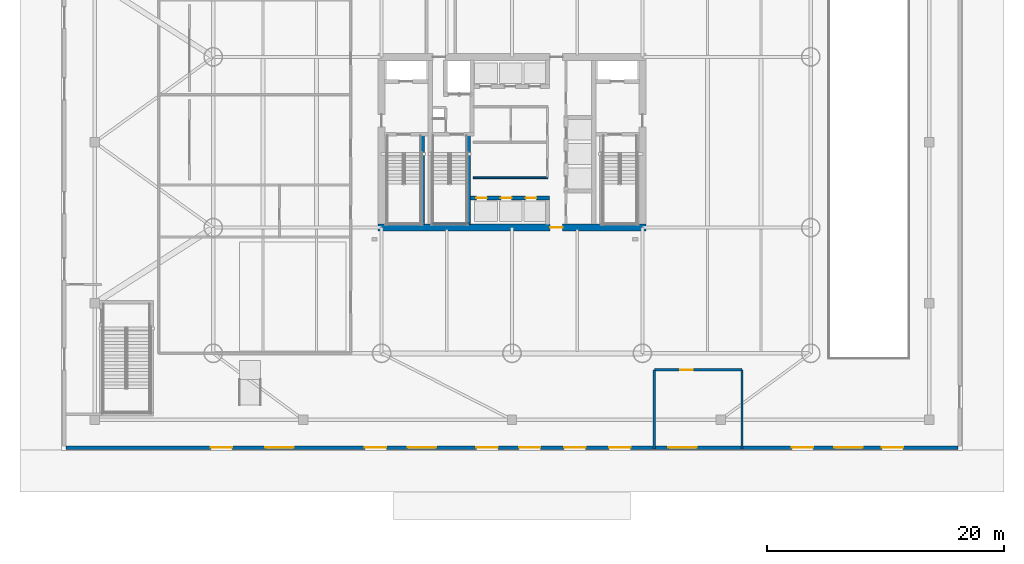
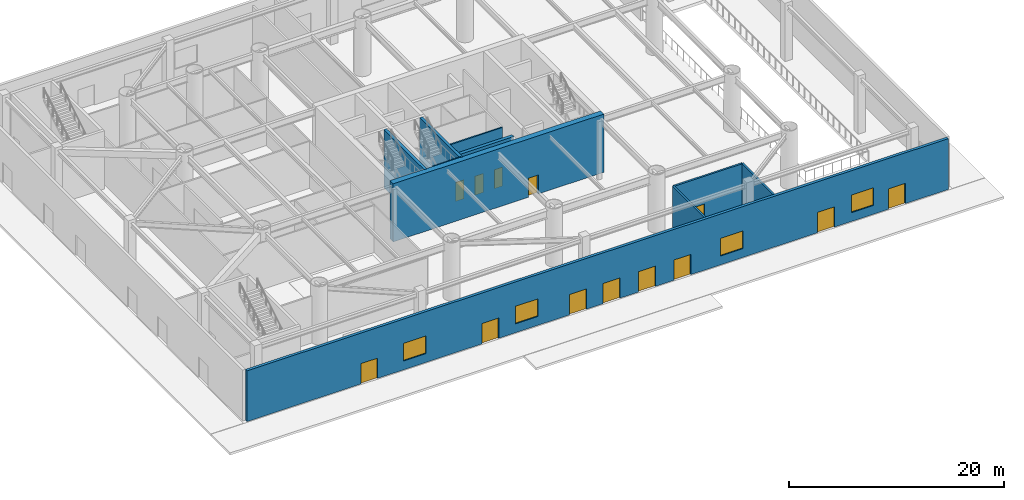
# One storey, part 4 of 15: 13 doors, 10 walls, 4 windows, 17 openings.
"""IFC4 building model written with IfcOpenShell, lengths in metres."""

import ifcopenshell
import ifcopenshell.guid

model = None  # the IFC model being written
_history = None  # IfcOwnerHistory: only IFC2X3 demands one
_inside = {}  # id of a spatial element -> (the spatial element, [elements in it])
_under = {}  # id of a project, library or spatial element -> (it, [spatial elements below it])
_declared = {}  # id of a project -> (the project, [libraries it declares])
_typed = {}  # id of a type object -> (the type object, [elements of that type])
_made_of = {}  # id of a material, layer set ... -> (it, [elements and type objects made of it])


def new_model(schema):
    """Start an empty IFC model of exactly this schema.

    Asked for "IFC4X3", IfcOpenShell would pick the latest addendum, in which some entities
    have other attributes; the version numbers below select the first issue.
    IFC2X3 requires an IfcOwnerHistory on every rooted entity: one is made here for all.
    """
    global model, _history
    if schema == "IFC4X3":
        model = ifcopenshell.file(schema_version=(4, 3, 0, 0))
    else:
        model = ifcopenshell.file(schema=schema)
    _inside.clear()
    _under.clear()
    _declared.clear()
    _typed.clear()
    _made_of.clear()
    _history = None
    if model.schema == "IFC2X3":
        org = make("IfcOrganization", Name="unknown")
        user = make(
            "IfcPersonAndOrganization",
            ThePerson=make("IfcPerson", FamilyName="unknown"),
            TheOrganization=org,
        )
        app = make(
            "IfcApplication",
            ApplicationDeveloper=org,
            Version="unknown",
            ApplicationFullName="unknown",
            ApplicationIdentifier="unknown",
        )
        _history = make(
            "IfcOwnerHistory",
            OwningUser=user,
            OwningApplication=app,
            ChangeAction="ADDED",
            CreationDate=0,
        )
    return model


def make(cls, **values):
    """One entity of the class cls with the attributes given. An attribute that is None is left unset."""
    return model.create_entity(
        cls, **{name: value for name, value in values.items() if value is not None}
    )


def rooted(cls, **values):
    """An entity with a GlobalId (a new one), such as an element, a storey or a relation."""
    return make(cls, GlobalId=ifcopenshell.guid.new(), OwnerHistory=_history, **values)


def si_unit(unit_type, name, prefix=None):
    """IfcSIUnit, for example si_unit("LENGTHUNIT", "METRE", prefix="MILLI")."""
    return make("IfcSIUnit", UnitType=unit_type, Prefix=prefix, Name=name)


def assignment(units):
    """IfcUnitAssignment: the units of a project."""
    return None if units is None else make("IfcUnitAssignment", Units=units)


def point(xyz):
    """IfcCartesianPoint."""
    return None if xyz is None else make("IfcCartesianPoint", Coordinates=xyz)


def direction(xyz):
    """IfcDirection."""
    return None if xyz is None else make("IfcDirection", DirectionRatios=xyz)


def frame(location, z_axis=None, x_axis=None):
    """IfcAxis2Placement3D, a coordinate frame: its origin and axes. An axis left out is left unset."""
    return make(
        "IfcAxis2Placement3D",
        Location=point(location),
        Axis=direction(z_axis),
        RefDirection=direction(x_axis),
    )


def frame_2d(location, x_axis=None):
    """IfcAxis2Placement2D, a coordinate frame in the plane: its origin and x axis."""
    return make(
        "IfcAxis2Placement2D", Location=point(location), RefDirection=direction(x_axis)
    )


def origin():
    """The frame at (0, 0, 0) with its axes left unset."""
    return frame((0.0, 0.0, 0.0))


def place(relative_to, where):
    """IfcLocalPlacement: puts the frame where relative to a parent placement (None: the world)."""
    return make(
        "IfcLocalPlacement", PlacementRelTo=relative_to, RelativePlacement=where
    )


def context(
    kind, dimensions, precision=None, world=None, true_north=None, identifier=None
):
    """IfcGeometricRepresentationContext, for example the 3D "Model" context."""
    return make(
        "IfcGeometricRepresentationContext",
        ContextIdentifier=identifier,
        ContextType=kind,
        CoordinateSpaceDimension=dimensions,
        Precision=precision,
        WorldCoordinateSystem=world,
        TrueNorth=true_north,
    )


def subcontext(parent, identifier, kind, view, scale=None):
    """IfcGeometricRepresentationSubContext, for example "Body" below "Model"."""
    return make(
        "IfcGeometricRepresentationSubContext",
        ContextIdentifier=identifier,
        ContextType=kind,
        ParentContext=parent,
        TargetScale=scale,
        TargetView=view,
    )


def project(units=None, contexts=None):
    """IfcProject with its units and contexts."""
    return rooted(
        "IfcProject",
        Name="project",
        RepresentationContexts=contexts,
        UnitsInContext=assignment(units),
    )


def spatial(cls, under=None, at=None, **own):
    """A site, building, storey or space (cls), placed at a placement, below another one or the project."""
    s = rooted(cls, ObjectPlacement=at, **own)
    if under is not None:
        _under.setdefault(under.id(), (under, []))[1].append(s)
    return s


def profile(cls, at=None, kind="AREA", **sizes):
    """A parametric profile (cls). Its sizes go by their IFC names, for example OverallWidth=200.0."""
    return make(cls, ProfileType=kind, Position=at, **sizes)


def rectangle(**sizes):
    """IfcRectangleProfileDef."""
    return profile("IfcRectangleProfileDef", **sizes)


def extrude(swept, where, along, depth):
    """IfcExtrudedAreaSolid: the profile swept, set in the frame where, extruded along a direction by depth."""
    return make(
        "IfcExtrudedAreaSolid",
        SweptArea=swept,
        Position=where,
        ExtrudedDirection=direction(along),
        Depth=depth,
    )


def shape(context_of_items, identifier, shape_type, items):
    """IfcShapeRepresentation: the items that make up one representation, for example the "Body"."""
    return make(
        "IfcShapeRepresentation",
        ContextOfItems=context_of_items,
        RepresentationIdentifier=identifier,
        RepresentationType=shape_type,
        Items=items,
    )


def material(Name=None, Category=None):
    """IfcMaterial."""
    return make("IfcMaterial", Name=Name, Category=Category)


def layer(
    of_material, thickness, ventilated=None, Name=None, Category=None, Priority=None
):
    """IfcMaterialLayer: one layer of a wall or slab, of a material (None: an air gap)."""
    return make(
        "IfcMaterialLayer",
        Material=of_material,
        LayerThickness=thickness,
        IsVentilated=ventilated,
        Name=Name,
        Category=Category,
        Priority=Priority,
    )


def layer_set(layers, Name=None):
    """IfcMaterialLayerSet."""
    return make("IfcMaterialLayerSet", MaterialLayers=layers, LayerSetName=Name)


def made_of(thing, what):
    """Note that an element or type object is made of a material, layer set ...; save() writes the relation."""
    if what is not None:
        _made_of.setdefault(what.id(), (what, []))[1].append(thing)
    return thing


def type_object(cls, material=None, **own):
    """A type object (cls), such as IfcWallType, which elements share."""
    return made_of(rooted(cls, **own), material)


def element(
    cls,
    number,
    at=None,
    inside=None,
    cuts=None,
    type_object=None,
    material=None,
    context=None,
    identifier="Body",
    shape_type=None,
    held_by="IfcProductDefinitionShape",
    body=None,
    shapes=None,
    **own,
):
    """One element of the class cls, such as IfcWall. Its Tag is "e" and its number.

    at: its placement. inside: the storey or other place that contains it. cuts: it is an
    opening in that element (IfcRelVoidsElement). A single representation is given by context,
    identifier, shape_type and body (its items); several are given by shapes. held_by: the class
    of the entity that holds the representations. save() writes the other relations.
    """
    e = rooted(cls, Tag="e%d" % number, ObjectPlacement=at, **own)
    if body is not None:
        shapes = [shape(context, identifier, shape_type, body)]
    if shapes is not None:
        e.Representation = make(held_by, Representations=shapes)
    if inside is not None:
        _inside.setdefault(inside.id(), (inside, []))[1].append(e)
    if cuts is not None:
        rooted(
            "IfcRelVoidsElement", RelatingBuildingElement=cuts, RelatedOpeningElement=e
        )
    if type_object is not None:
        _typed.setdefault(type_object.id(), (type_object, []))[1].append(e)
    return made_of(e, material)


def fill(opening, filler):
    """IfcRelFillsElement: the door or window that sits in an opening."""
    return rooted(
        "IfcRelFillsElement",
        RelatingOpeningElement=opening,
        RelatedBuildingElement=filler,
    )


def aggregate(whole, parts):
    """IfcRelAggregates: a whole, such as a stair, and the parts it consists of."""
    return rooted("IfcRelAggregates", RelatingObject=whole, RelatedObjects=parts)


def save(model, path):
    """Write the relations noted so far, then the file.

    IfcRelAggregates (storeys below a building ...), IfcRelContainedInSpatialStructure (elements
    in a storey), IfcRelDefinesByType, IfcRelAssociatesMaterial and IfcRelDeclares: one each for
    every whole, place, type object, material and project.
    """
    for whole, parts in _under.values():
        aggregate(whole, parts)
    for where, things in _inside.values():
        rooted(
            "IfcRelContainedInSpatialStructure",
            RelatedElements=things,
            RelatingStructure=where,
        )
    for kind, things in _typed.values():
        rooted("IfcRelDefinesByType", RelatedObjects=things, RelatingType=kind)
    for what, things in _made_of.values():
        rooted("IfcRelAssociatesMaterial", RelatedObjects=things, RelatingMaterial=what)
    for by, libraries in _declared.values():
        rooted("IfcRelDeclares", RelatingContext=by, RelatedDefinitions=libraries)
    model.write(path)


model = new_model("IFC4")

# Units and contexts
model_context = context("Model", 3, precision=1e-05, world=origin(), true_north=direction((0.0, 1.0)))
body_context = subcontext(model_context, "Body", "Model", "MODEL_VIEW")
ifc_project = project(units=[si_unit("LENGTHUNIT", "METRE"), si_unit("AREAUNIT", "SQUARE_METRE"), si_unit("VOLUMEUNIT", "CUBIC_METRE"), si_unit("PLANEANGLEUNIT", "RADIAN"), si_unit("MASSUNIT", "GRAM", prefix="KILO")], contexts=[model_context])

# Site, building, storey
site_placement = place(None, origin())
site = spatial("IfcSite", under=ifc_project, at=site_placement, CompositionType="ELEMENT")
building_placement = place(site_placement, origin())
building = spatial("IfcBuilding", under=site, at=building_placement, Name="Bramvorn Convention Spire", CompositionType="ELEMENT")
storey_placement = place(building_placement, origin())
storey = spatial("IfcBuildingStorey", under=building, at=storey_placement, Name="L00", CompositionType="ELEMENT", Elevation=0.0)

# Wall, opening, door
ifc_material_1 = material(Name="Concrete C60/70", Category="concrete")
ifc_layer_1 = layer(ifc_material_1, 0.60009765625)
ifc_layer_set_1 = layer_set([ifc_layer_1], Name="Concrete C60/70 - WL-CORE-600")
wall_type_1 = type_object("IfcWallType", Name="WL-CORE-600", PredefinedType="SHEAR", material=ifc_layer_set_1)
wall_1_placement = place(storey_placement, frame((26.699951171875, 18.800048828125, 0.0), z_axis=(0.0, 0.0, 1.0), x_axis=(1.0, 0.0, 0.0)))
wall_1 = element("IfcWall", 1, at=wall_1_placement, inside=storey, type_object=wall_type_1, Name="L00 South RC core shear wall", PredefinedType="SHEAR", context=body_context, shape_type="SweptSolid", body=[
    extrude(rectangle(XDim=22.60009765625, YDim=0.60009765625, at=frame_2d((11.300048828125, 0.0))), origin(), (0.0, 0.0, 1.0), 6.60009765625),
])
opening_1_placement = place(wall_1_placement, frame((14.52001953125, 0.0, 0.0)))
opening_1 = element("IfcOpeningElement", 2, at=opening_1_placement, cuts=wall_1, Name="Opening DL-105", PredefinedType="OPENING", context=body_context, shape_type="SweptSolid", body=[
    extrude(rectangle(XDim=1.050048828125, YDim=2.14990234375, at=frame_2d((0.52490234375, 1.074951171875))), frame((0.0, 0.31005859375, 0.0), z_axis=(0.0, -1.0, 0.0), x_axis=(1.0, 0.0, 0.0)), (0.0, 0.0, 1.0), 0.6201171875),
])
ifc_material_2 = material(Name="Smoke-Sealed Fire Lobby Timber-Core Door", Category="wood")
door_type_1 = type_object("IfcDoorType", Name="DR-LOBBY-1050", OperationType="NOTDEFINED", PredefinedType="DOOR", material=ifc_material_2)
door_1_placement = place(opening_1_placement, origin())
door_1 = element("IfcDoor", 3, at=door_1_placement, inside=storey, type_object=door_type_1, Name="L00 South Lift Lobby fire door", OperationType="SINGLE_SWING_RIGHT", OverallHeight=2.14990234375, OverallWidth=1.050048828125, PredefinedType="DOOR", context=body_context, shape_type="SweptSolid", body=[
    extrude(rectangle(XDim=1.050048828125, YDim=2.14990234375, at=frame_2d((0.52490234375, 1.074951171875))), frame((0.0, 0.02490234375, 0.0), z_axis=(0.0, -1.0, 0.0), x_axis=(1.0, 0.0, 0.0)), (0.0, 0.0, 1.0), 0.050048828125),
])
fill(opening_1, door_1)

# Wall, openings, doors
ifc_material_3 = material(Name="Concrete C50/60", Category="concrete")
ifc_layer_2 = layer(ifc_material_3, 0.35009765625)
ifc_layer_set_2 = layer_set([ifc_layer_2], Name="Concrete C50/60 - WL-CORE-INT-350")
wall_type_2 = type_object("IfcWallType", Name="WL-CORE-INT-350", PredefinedType="SHEAR", material=ifc_layer_set_2)
wall_2_placement = place(storey_placement, frame((34.489990234375, 21.300048828125, 0.0), z_axis=(0.0, 0.0, 1.0), x_axis=(1.0, 0.0, 0.0)))
wall_2 = element("IfcWall", 4, at=wall_2_placement, inside=storey, type_object=wall_type_2, Name="L00 Mid-rise bank north landing wall", PredefinedType="SHEAR", context=body_context, shape_type="SweptSolid", body=[
    extrude(rectangle(XDim=6.679931640625, YDim=0.35009765625, at=frame_2d((3.33984375, 0.0))), origin(), (0.0, 0.0, 1.0), 5.31005859375),
])
opening_2_placement = place(wall_2_placement, frame((0.5, 0.0, 0.0)))
opening_2 = element("IfcOpeningElement", 5, at=opening_2_placement, cuts=wall_2, Name="Opening LD-090", PredefinedType="OPENING", context=body_context, shape_type="SweptSolid", body=[
    extrude(rectangle(XDim=0.89990234375, YDim=2.14990234375, at=frame_2d((0.449951171875, 1.074951171875))), frame((0.0, 0.18505859375, 0.0), z_axis=(0.0, -1.0, 0.0), x_axis=(1.0, 0.0, 0.0)), (0.0, 0.0, 1.0), 0.3701171875),
])
opening_3_placement = place(wall_2_placement, frame((2.580078125, 0.0, 0.0)))
opening_3 = element("IfcOpeningElement", 6, at=opening_3_placement, cuts=wall_2, Name="Opening LD-090", PredefinedType="OPENING", context=body_context, shape_type="SweptSolid", body=[
    extrude(rectangle(XDim=0.89990234375, YDim=2.14990234375, at=frame_2d((0.449951171875, 1.074951171875))), frame((0.0, 0.18505859375, 0.0), z_axis=(0.0, -1.0, 0.0), x_axis=(1.0, 0.0, 0.0)), (0.0, 0.0, 1.0), 0.3701171875),
])
opening_4_placement = place(wall_2_placement, frame((4.659912109375, 0.0, 0.0)))
opening_4 = element("IfcOpeningElement", 7, at=opening_4_placement, cuts=wall_2, Name="Opening LD-090", PredefinedType="OPENING", context=body_context, shape_type="SweptSolid", body=[
    extrude(rectangle(XDim=0.89990234375, YDim=2.14990234375, at=frame_2d((0.449951171875, 1.074951171875))), frame((0.0, 0.18505859375, 0.0), z_axis=(0.0, -1.0, 0.0), x_axis=(1.0, 0.0, 0.0)), (0.0, 0.0, 1.0), 0.3701171875),
])
ifc_material_4 = material(Name="Bi-Parting Fire-Rated Lift Landing Door", Category="steel")
door_type_2 = type_object("IfcDoorType", Name="DR-LIFT-LD-900", OperationType="NOTDEFINED", PredefinedType="DOOR", material=ifc_material_4)
door_2_placement = place(opening_2_placement, origin())
door_2 = element("IfcDoor", 8, at=door_2_placement, inside=storey, type_object=door_type_2, Name="L00 Lift PM1 Sliding Landing Door", OperationType="SLIDING_TO_LEFT", OverallHeight=2.14990234375, OverallWidth=0.89990234375, PredefinedType="DOOR", context=body_context, shape_type="SweptSolid", body=[
    extrude(rectangle(XDim=0.89990234375, YDim=2.14990234375, at=frame_2d((0.449951171875, 1.074951171875))), frame((0.0, 0.02490234375, 0.0), z_axis=(0.0, -1.0, 0.0), x_axis=(1.0, 0.0, 0.0)), (0.0, 0.0, 1.0), 0.050048828125),
])
fill(opening_2, door_2)
door_3_placement = place(opening_3_placement, origin())
door_3 = element("IfcDoor", 9, at=door_3_placement, inside=storey, type_object=door_type_2, Name="L00 Lift PM2 Sliding Landing Door", OperationType="SLIDING_TO_LEFT", OverallHeight=2.14990234375, OverallWidth=0.89990234375, PredefinedType="DOOR", context=body_context, shape_type="SweptSolid", body=[
    extrude(rectangle(XDim=0.89990234375, YDim=2.14990234375, at=frame_2d((0.449951171875, 1.074951171875))), frame((0.0, 0.02490234375, 0.0), z_axis=(0.0, -1.0, 0.0), x_axis=(1.0, 0.0, 0.0)), (0.0, 0.0, 1.0), 0.050048828125),
])
fill(opening_3, door_3)
door_4_placement = place(opening_4_placement, origin())
door_4 = element("IfcDoor", 10, at=door_4_placement, inside=storey, type_object=door_type_2, Name="L00 Lift PM3 Sliding Landing Door", OperationType="SLIDING_TO_LEFT", OverallHeight=2.14990234375, OverallWidth=0.89990234375, PredefinedType="DOOR", context=body_context, shape_type="SweptSolid", body=[
    extrude(rectangle(XDim=0.89990234375, YDim=2.14990234375, at=frame_2d((0.449951171875, 1.074951171875))), frame((0.0, 0.02490234375, 0.0), z_axis=(0.0, -1.0, 0.0), x_axis=(1.0, 0.0, 0.0)), (0.0, 0.0, 1.0), 0.050048828125),
])
fill(opening_4, door_4)

# Wall, openings, doors, windows
ifc_material_5 = material(Name="Precast Concrete C40/50 with Bronze Terracotta Rainscreen", Category="masonry")
ifc_layer_3 = layer(ifc_material_5, 0.300048828125)
ifc_layer_set_3 = layer_set([ifc_layer_3], Name="Precast Concrete C40/50 with Bronze Terracotta Rainscreen - WL-EXT-BRONZE-300")
wall_type_3 = type_object("IfcWallType", Name="WL-EXT-BRONZE-300", PredefinedType="SOLIDWALL", material=ifc_layer_set_3)
wall_3_placement = place(storey_placement, frame((75.60009765625, 0.25, 0.0), z_axis=(0.0, 0.0, 1.0), x_axis=(-1.0, 0.0, 0.0)))
wall_3 = element("IfcWall", 11, at=wall_3_placement, inside=storey, type_object=wall_type_3, Name="L00 South podium bronze facade wall", PredefinedType="SOLIDWALL", context=body_context, shape_type="SweptSolid", body=[
    extrude(rectangle(XDim=75.2001953125, YDim=0.300048828125, at=frame_2d((37.60009765625, 0.0))), origin(), (0.0, 0.0, 1.0), 5.760009765625),
])
opening_5_placement = place(wall_3_placement, frame((8.0, 0.0, 1.0)))
opening_5 = element("IfcOpeningElement", 12, at=opening_5_placement, cuts=wall_3, Name="Opening WN05", PredefinedType="OPENING", context=body_context, shape_type="SweptSolid", body=[
    extrude(rectangle(XDim=2.39990234375, YDim=2.0, at=frame_2d((1.199951171875, 1.0))), frame((0.0, 0.159912109375, 0.0), z_axis=(0.0, -1.0, 0.0), x_axis=(1.0, 0.0, 0.0)), (0.0, 0.0, 1.0), 0.320068359375),
])
opening_6_placement = place(wall_3_placement, frame((22.0, 0.0, 1.0)))
opening_6 = element("IfcOpeningElement", 13, at=opening_6_placement, cuts=wall_3, Name="Opening WN05", PredefinedType="OPENING", context=body_context, shape_type="SweptSolid", body=[
    extrude(rectangle(XDim=2.39990234375, YDim=2.0, at=frame_2d((1.199951171875, 1.0))), frame((0.0, 0.159912109375, 0.0), z_axis=(0.0, -1.0, 0.0), x_axis=(1.0, 0.0, 0.0)), (0.0, 0.0, 1.0), 0.320068359375),
])
opening_7_placement = place(wall_3_placement, frame((44.0, 0.0, 1.0)))
opening_7 = element("IfcOpeningElement", 14, at=opening_7_placement, cuts=wall_3, Name="Opening WN05", PredefinedType="OPENING", context=body_context, shape_type="SweptSolid", body=[
    extrude(rectangle(XDim=2.39990234375, YDim=2.0, at=frame_2d((1.199951171875, 1.0))), frame((0.0, 0.159912109375, 0.0), z_axis=(0.0, -1.0, 0.0), x_axis=(1.0, 0.0, 0.0)), (0.0, 0.0, 1.0), 0.320068359375),
])
opening_8_placement = place(wall_3_placement, frame((56.0, 0.0, 1.0)))
opening_8 = element("IfcOpeningElement", 15, at=opening_8_placement, cuts=wall_3, Name="Opening WN05", PredefinedType="OPENING", context=body_context, shape_type="SweptSolid", body=[
    extrude(rectangle(XDim=2.39990234375, YDim=2.0, at=frame_2d((1.199951171875, 1.0))), frame((0.0, 0.159912109375, 0.0), z_axis=(0.0, -1.0, 0.0), x_axis=(1.0, 0.0, 0.0)), (0.0, 0.0, 1.0), 0.320068359375),
])
opening_9_placement = place(wall_3_placement, frame((4.60009765625, 0.0, 0.0)))
opening_9 = element("IfcOpeningElement", 16, at=opening_9_placement, cuts=wall_3, Name="Opening DE03", PredefinedType="OPENING", context=body_context, shape_type="SweptSolid", body=[
    extrude(rectangle(XDim=1.800048828125, YDim=2.300048828125, at=frame_2d((0.89990234375, 1.14990234375))), frame((0.0, 0.159912109375, 0.0), z_axis=(0.0, -1.0, 0.0), x_axis=(1.0, 0.0, 0.0)), (0.0, 0.0, 1.0), 0.320068359375),
])
opening_10_placement = place(wall_3_placement, frame((12.199951171875, 0.0, 0.0)))
opening_10 = element("IfcOpeningElement", 17, at=opening_10_placement, cuts=wall_3, Name="Opening DE03", PredefinedType="OPENING", context=body_context, shape_type="SweptSolid", body=[
    extrude(rectangle(XDim=1.800048828125, YDim=2.300048828125, at=frame_2d((0.89990234375, 1.14990234375))), frame((0.0, 0.159912109375, 0.0), z_axis=(0.0, -1.0, 0.0), x_axis=(1.0, 0.0, 0.0)), (0.0, 0.0, 1.0), 0.320068359375),
])
opening_11_placement = place(wall_3_placement, frame((27.60009765625, 0.0, 0.0)))
opening_11 = element("IfcOpeningElement", 18, at=opening_11_placement, cuts=wall_3, Name="Opening DE03", PredefinedType="OPENING", context=body_context, shape_type="SweptSolid", body=[
    extrude(rectangle(XDim=1.800048828125, YDim=2.300048828125, at=frame_2d((0.89990234375, 1.14990234375))), frame((0.0, 0.159912109375, 0.0), z_axis=(0.0, -1.0, 0.0), x_axis=(1.0, 0.0, 0.0)), (0.0, 0.0, 1.0), 0.320068359375),
])
opening_12_placement = place(wall_3_placement, frame((31.39990234375, 0.0, 0.0)))
opening_12 = element("IfcOpeningElement", 19, at=opening_12_placement, cuts=wall_3, Name="Opening DE03", PredefinedType="OPENING", context=body_context, shape_type="SweptSolid", body=[
    extrude(rectangle(XDim=1.800048828125, YDim=2.300048828125, at=frame_2d((0.89990234375, 1.14990234375))), frame((0.0, 0.159912109375, 0.0), z_axis=(0.0, -1.0, 0.0), x_axis=(1.0, 0.0, 0.0)), (0.0, 0.0, 1.0), 0.320068359375),
])
opening_13_placement = place(wall_3_placement, frame((35.199951171875, 0.0, 0.0)))
opening_13 = element("IfcOpeningElement", 20, at=opening_13_placement, cuts=wall_3, Name="Opening DE03", PredefinedType="OPENING", context=body_context, shape_type="SweptSolid", body=[
    extrude(rectangle(XDim=1.800048828125, YDim=2.300048828125, at=frame_2d((0.89990234375, 1.14990234375))), frame((0.0, 0.159912109375, 0.0), z_axis=(0.0, -1.0, 0.0), x_axis=(1.0, 0.0, 0.0)), (0.0, 0.0, 1.0), 0.320068359375),
])
opening_14_placement = place(wall_3_placement, frame((38.800048828125, 0.0, 0.0)))
opening_14 = element("IfcOpeningElement", 21, at=opening_14_placement, cuts=wall_3, Name="Opening DE03", PredefinedType="OPENING", context=body_context, shape_type="SweptSolid", body=[
    extrude(rectangle(XDim=1.800048828125, YDim=2.300048828125, at=frame_2d((0.89990234375, 1.14990234375))), frame((0.0, 0.159912109375, 0.0), z_axis=(0.0, -1.0, 0.0), x_axis=(1.0, 0.0, 0.0)), (0.0, 0.0, 1.0), 0.320068359375),
])
opening_15_placement = place(wall_3_placement, frame((48.199951171875, 0.0, 0.0)))
opening_15 = element("IfcOpeningElement", 22, at=opening_15_placement, cuts=wall_3, Name="Opening DE03", PredefinedType="OPENING", context=body_context, shape_type="SweptSolid", body=[
    extrude(rectangle(XDim=1.800048828125, YDim=2.300048828125, at=frame_2d((0.89990234375, 1.14990234375))), frame((0.0, 0.159912109375, 0.0), z_axis=(0.0, -1.0, 0.0), x_axis=(1.0, 0.0, 0.0)), (0.0, 0.0, 1.0), 0.320068359375),
])
opening_16_placement = place(wall_3_placement, frame((61.199951171875, 0.0, 0.0)))
opening_16 = element("IfcOpeningElement", 23, at=opening_16_placement, cuts=wall_3, Name="Opening DE03", PredefinedType="OPENING", context=body_context, shape_type="SweptSolid", body=[
    extrude(rectangle(XDim=1.800048828125, YDim=2.300048828125, at=frame_2d((0.89990234375, 1.14990234375))), frame((0.0, 0.159912109375, 0.0), z_axis=(0.0, -1.0, 0.0), x_axis=(1.0, 0.0, 0.0)), (0.0, 0.0, 1.0), 0.320068359375),
])
ifc_material_6 = material(Name="Anodised Bronze Aluminium & Laminated Safety Glass", Category="aluminium")
door_type_3 = type_object("IfcDoorType", Name="DR-EXT-1800X2300", OperationType="NOTDEFINED", PredefinedType="DOOR", material=ifc_material_6)
door_5_placement = place(opening_9_placement, origin())
door_5 = element("IfcDoor", 24, at=door_5_placement, inside=storey, type_object=door_type_3, Name="L00 SE Concourse Exit E01", OperationType="DOUBLE_DOOR_SINGLE_SWING", OverallHeight=2.300048828125, OverallWidth=1.800048828125, PredefinedType="DOOR", context=body_context, shape_type="SweptSolid", body=[
    extrude(rectangle(XDim=1.800048828125, YDim=2.300048828125, at=frame_2d((0.89990234375, 1.14990234375))), frame((0.0, 0.02490234375, 0.0), z_axis=(0.0, -1.0, 0.0), x_axis=(1.0, 0.0, 0.0)), (0.0, 0.0, 1.0), 0.050048828125),
])
fill(opening_9, door_5)
door_6_placement = place(opening_10_placement, origin())
door_6 = element("IfcDoor", 25, at=door_6_placement, inside=storey, type_object=door_type_3, Name="L00 SE Hall Exit E02", OperationType="DOUBLE_DOOR_SINGLE_SWING", OverallHeight=2.300048828125, OverallWidth=1.800048828125, PredefinedType="DOOR", context=body_context, shape_type="SweptSolid", body=[
    extrude(rectangle(XDim=1.800048828125, YDim=2.300048828125, at=frame_2d((0.89990234375, 1.14990234375))), frame((0.0, 0.02490234375, 0.0), z_axis=(0.0, -1.0, 0.0), x_axis=(1.0, 0.0, 0.0)), (0.0, 0.0, 1.0), 0.050048828125),
])
fill(opening_10, door_6)
door_7_placement = place(opening_11_placement, origin())
door_7 = element("IfcDoor", 26, at=door_7_placement, inside=storey, type_object=door_type_3, Name="L00 South Portal E03", OperationType="DOUBLE_DOOR_SINGLE_SWING", OverallHeight=2.300048828125, OverallWidth=1.800048828125, PredefinedType="DOOR", context=body_context, shape_type="SweptSolid", body=[
    extrude(rectangle(XDim=1.800048828125, YDim=2.300048828125, at=frame_2d((0.89990234375, 1.14990234375))), frame((0.0, 0.02490234375, 0.0), z_axis=(0.0, -1.0, 0.0), x_axis=(1.0, 0.0, 0.0)), (0.0, 0.0, 1.0), 0.050048828125),
])
fill(opening_11, door_7)
door_8_placement = place(opening_12_placement, origin())
door_8 = element("IfcDoor", 27, at=door_8_placement, inside=storey, type_object=door_type_3, Name="L00 South Portal E04", OperationType="DOUBLE_DOOR_SINGLE_SWING", OverallHeight=2.300048828125, OverallWidth=1.800048828125, PredefinedType="DOOR", context=body_context, shape_type="SweptSolid", body=[
    extrude(rectangle(XDim=1.800048828125, YDim=2.300048828125, at=frame_2d((0.89990234375, 1.14990234375))), frame((0.0, 0.02490234375, 0.0), z_axis=(0.0, -1.0, 0.0), x_axis=(1.0, 0.0, 0.0)), (0.0, 0.0, 1.0), 0.050048828125),
])
fill(opening_12, door_8)
door_9_placement = place(opening_13_placement, origin())
door_9 = element("IfcDoor", 28, at=door_9_placement, inside=storey, type_object=door_type_3, Name="L00 Grand Portal E05", OperationType="DOUBLE_DOOR_SINGLE_SWING", OverallHeight=2.300048828125, OverallWidth=1.800048828125, PredefinedType="DOOR", context=body_context, shape_type="SweptSolid", body=[
    extrude(rectangle(XDim=1.800048828125, YDim=2.300048828125, at=frame_2d((0.89990234375, 1.14990234375))), frame((0.0, 0.02490234375, 0.0), z_axis=(0.0, -1.0, 0.0), x_axis=(1.0, 0.0, 0.0)), (0.0, 0.0, 1.0), 0.050048828125),
])
fill(opening_13, door_9)
door_10_placement = place(opening_14_placement, origin())
door_10 = element("IfcDoor", 29, at=door_10_placement, inside=storey, type_object=door_type_3, Name="L00 Grand Portal E06", OperationType="DOUBLE_DOOR_SINGLE_SWING", OverallHeight=2.300048828125, OverallWidth=1.800048828125, PredefinedType="DOOR", context=body_context, shape_type="SweptSolid", body=[
    extrude(rectangle(XDim=1.800048828125, YDim=2.300048828125, at=frame_2d((0.89990234375, 1.14990234375))), frame((0.0, 0.02490234375, 0.0), z_axis=(0.0, -1.0, 0.0), x_axis=(1.0, 0.0, 0.0)), (0.0, 0.0, 1.0), 0.050048828125),
])
fill(opening_14, door_10)
door_11_placement = place(opening_15_placement, origin())
door_11 = element("IfcDoor", 30, at=door_11_placement, inside=storey, type_object=door_type_3, Name="L00 SW Concourse Exit E07", OperationType="DOUBLE_DOOR_SINGLE_SWING", OverallHeight=2.300048828125, OverallWidth=1.800048828125, PredefinedType="DOOR", context=body_context, shape_type="SweptSolid", body=[
    extrude(rectangle(XDim=1.800048828125, YDim=2.300048828125, at=frame_2d((0.89990234375, 1.14990234375))), frame((0.0, 0.02490234375, 0.0), z_axis=(0.0, -1.0, 0.0), x_axis=(1.0, 0.0, 0.0)), (0.0, 0.0, 1.0), 0.050048828125),
])
fill(opening_15, door_11)
door_12_placement = place(opening_16_placement, origin())
door_12 = element("IfcDoor", 31, at=door_12_placement, inside=storey, type_object=door_type_3, Name="L00 SW Lobby Exit E08", OperationType="DOUBLE_DOOR_SINGLE_SWING", OverallHeight=2.300048828125, OverallWidth=1.800048828125, PredefinedType="DOOR", context=body_context, shape_type="SweptSolid", body=[
    extrude(rectangle(XDim=1.800048828125, YDim=2.300048828125, at=frame_2d((0.89990234375, 1.14990234375))), frame((0.0, 0.02490234375, 0.0), z_axis=(0.0, -1.0, 0.0), x_axis=(1.0, 0.0, 0.0)), (0.0, 0.0, 1.0), 0.050048828125),
])
fill(opening_16, door_12)
ifc_material_7 = material(Name="Thermally Broken Bronze Aluminium & Triple Low-E Glass", Category="aluminium")
window_type = type_object("IfcWindowType", Name="WN-OP-2400X2000", PartitioningType="SINGLE_PANEL", PredefinedType="WINDOW", material=ifc_material_7)
window_1_placement = place(opening_5_placement, origin())
window_1 = element("IfcWindow", 32, at=window_1_placement, inside=storey, type_object=window_type, Name="L00 South concourse window 1", OverallHeight=2.0, OverallWidth=2.39990234375, PartitioningType="SINGLE_PANEL", PredefinedType="WINDOW", context=body_context, shape_type="SweptSolid", body=[
    extrude(rectangle(XDim=2.39990234375, YDim=2.0, at=frame_2d((1.199951171875, 1.0))), frame((0.0, 0.030029296875, 0.0), z_axis=(0.0, -1.0, 0.0), x_axis=(1.0, 0.0, 0.0)), (0.0, 0.0, 1.0), 0.06005859375),
])
fill(opening_5, window_1)
window_2_placement = place(opening_6_placement, origin())
window_2 = element("IfcWindow", 33, at=window_2_placement, inside=storey, type_object=window_type, Name="L00 South concourse window 2", OverallHeight=2.0, OverallWidth=2.39990234375, PartitioningType="SINGLE_PANEL", PredefinedType="WINDOW", context=body_context, shape_type="SweptSolid", body=[
    extrude(rectangle(XDim=2.39990234375, YDim=2.0, at=frame_2d((1.199951171875, 1.0))), frame((0.0, 0.030029296875, 0.0), z_axis=(0.0, -1.0, 0.0), x_axis=(1.0, 0.0, 0.0)), (0.0, 0.0, 1.0), 0.06005859375),
])
fill(opening_6, window_2)
window_3_placement = place(opening_7_placement, origin())
window_3 = element("IfcWindow", 34, at=window_3_placement, inside=storey, type_object=window_type, Name="L00 South concourse window 3", OverallHeight=2.0, OverallWidth=2.39990234375, PartitioningType="SINGLE_PANEL", PredefinedType="WINDOW", context=body_context, shape_type="SweptSolid", body=[
    extrude(rectangle(XDim=2.39990234375, YDim=2.0, at=frame_2d((1.199951171875, 1.0))), frame((0.0, 0.030029296875, 0.0), z_axis=(0.0, -1.0, 0.0), x_axis=(1.0, 0.0, 0.0)), (0.0, 0.0, 1.0), 0.06005859375),
])
fill(opening_7, window_3)
window_4_placement = place(opening_8_placement, origin())
window_4 = element("IfcWindow", 35, at=window_4_placement, inside=storey, type_object=window_type, Name="L00 South concourse window 4", OverallHeight=2.0, OverallWidth=2.39990234375, PartitioningType="SINGLE_PANEL", PredefinedType="WINDOW", context=body_context, shape_type="SweptSolid", body=[
    extrude(rectangle(XDim=2.39990234375, YDim=2.0, at=frame_2d((1.199951171875, 1.0))), frame((0.0, 0.030029296875, 0.0), z_axis=(0.0, -1.0, 0.0), x_axis=(1.0, 0.0, 0.0)), (0.0, 0.0, 1.0), 0.06005859375),
])
fill(opening_8, window_4)

# Wall
ifc_material_8 = material(Name="Acoustic Metal-Stud Tenant/Corridor Partition", Category="gypsum")
ifc_layer_4 = layer(ifc_material_8, 0.14990234375)
ifc_layer_set_4 = layer_set([ifc_layer_4], Name="Acoustic Metal-Stud Tenant/Corridor Partition - WL-PART-150")
wall_type_4 = type_object("IfcWallType", Name="WL-PART-150", PredefinedType="PARTITIONING", material=ifc_layer_set_4)
wall_4_placement = place(storey_placement, frame((34.75, 23.0, 0.0), z_axis=(0.0, 0.0, 1.0), x_axis=(1.0, 0.0, 0.0)))
element("IfcWall", 36, at=wall_4_placement, inside=storey, type_object=wall_type_4, Name="L00 Mid-rise lift vestibule north wall", PredefinedType="PARTITIONING", context=body_context, shape_type="SweptSolid", body=[
    extrude(rectangle(XDim=6.25, YDim=0.14990234375, at=frame_2d((3.125, 0.0))), origin(), (0.0, 0.0, 1.0), 5.31005859375),
])

# Wall, opening, door
ifc_material_9 = material(Name="Gypsum Shaftwall & Rockwool Core Partition", Category="gypsum")
ifc_layer_5 = layer(ifc_material_9, 0.199951171875)
ifc_layer_set_5 = layer_set([ifc_layer_5], Name="Gypsum Shaftwall & Rockwool Core Partition - WL-PART-200-FR")
wall_type_5 = type_object("IfcWallType", Name="WL-PART-200-FR", PredefinedType="PARTITIONING", material=ifc_layer_set_5)
wall_5_placement = place(storey_placement, frame((50.0, 6.800048828125, 0.0), z_axis=(0.0, 0.0, 1.0), x_axis=(1.0, 0.0, 0.0)))
wall_5 = element("IfcWall", 37, at=wall_5_placement, inside=storey, type_object=wall_type_5, Name="L00 Fire Command Centre north wall", PredefinedType="PARTITIONING", context=body_context, shape_type="SweptSolid", body=[
    extrude(rectangle(XDim=7.39990234375, YDim=0.199951171875, at=frame_2d((3.699951171875, 0.0))), origin(), (0.0, 0.0, 1.0), 5.31005859375),
])
opening_17_placement = place(wall_5_placement, frame((2.199951171875, 0.0, 0.0)))
opening_17 = element("IfcOpeningElement", 38, at=opening_17_placement, cuts=wall_5, Name="Opening DL-105", PredefinedType="OPENING", context=body_context, shape_type="SweptSolid", body=[
    extrude(rectangle(XDim=1.050048828125, YDim=2.14990234375, at=frame_2d((0.52490234375, 1.074951171875))), frame((0.0, 0.10986328125, 0.0), z_axis=(0.0, -1.0, 0.0), x_axis=(1.0, 0.0, 0.0)), (0.0, 0.0, 1.0), 0.219970703125),
])
door_13_placement = place(opening_17_placement, origin())
door_13 = element("IfcDoor", 39, at=door_13_placement, inside=storey, type_object=door_type_1, Name="L00 Central Alarm and Control Facility (Fire Command Room) door", OperationType="SINGLE_SWING_RIGHT", OverallHeight=2.14990234375, OverallWidth=1.050048828125, PredefinedType="DOOR", context=body_context, shape_type="SweptSolid", body=[
    extrude(rectangle(XDim=1.050048828125, YDim=2.14990234375, at=frame_2d((0.52490234375, 1.074951171875))), frame((0.0, 0.02490234375, 0.0), z_axis=(0.0, -1.0, 0.0), x_axis=(1.0, 0.0, 0.0)), (0.0, 0.0, 1.0), 0.050048828125),
])
fill(opening_17, door_13)

# Walls
for number, where, z_axis, x_axis, name in (
    (40, (50.0, 0.139892578125, 0.0), (0.0, 0.0, 1.0), (0.0, 1.0, 0.0), "L00 Fire Command Centre west wall"),
    (41, (57.39990234375, 0.139892578125, 0.0), (0.0, 0.0, 1.0), (0.0, 1.0, 0.0), "L00 Fire Command Centre east wall"),
):
    element("IfcWall", number, at=place(storey_placement, frame(where, z_axis=z_axis, x_axis=x_axis)), inside=storey, type_object=wall_type_5, Name=name, PredefinedType="PARTITIONING", context=body_context, shape_type="SweptSolid", body=[
        extrude(rectangle(XDim=6.66015625, YDim=0.199951171875, at=frame_2d((3.330078125, 0.0))), origin(), (0.0, 0.0, 1.0), 5.31005859375),
    ])
ifc_layer_6 = layer(ifc_material_3, 0.300048828125)
ifc_layer_set_6 = layer_set([ifc_layer_6], Name="Concrete C50/60 - WL-POD-STAIR-300")
wall_type_6 = type_object("IfcWallType", Name="WL-POD-STAIR-300", PredefinedType="SHEAR", material=ifc_layer_set_6)
for number, where, z_axis, x_axis, name in (
    (42, (30.489990234375, 19.050048828125, 0.0), (0.0, 0.0, 1.0), (0.0, 1.0, 0.0), "L00 ST1 east bearing wall"),
    (43, (34.340087890625, 19.050048828125, 0.0), (0.0, 0.0, 1.0), (0.0, 1.0, 0.0), "L00 ST3 east bearing wall"),
):
    element("IfcWall", number, at=place(storey_placement, frame(where, z_axis=z_axis, x_axis=x_axis)), inside=storey, type_object=wall_type_6, Name=name, PredefinedType="SHEAR", context=body_context, shape_type="SweptSolid", body=[
        extrude(rectangle(XDim=7.5, YDim=0.300048828125, at=frame_2d((3.75, 0.0))), origin(), (0.0, 0.0, 1.0), 6.60009765625),
    ])
ifc_layer_7 = layer(ifc_material_3, 0.1201171875)
ifc_layer_set_7 = layer_set([ifc_layer_7], Name="Concrete C50/60 - WL-STAIR-RC-120")
wall_type_7 = type_object("IfcWallType", Name="WL-STAIR-RC-120", PredefinedType="SHEAR", material=ifc_layer_set_7)
wall_6_placement = place(storey_placement, frame((31.300048828125, 19.159912109375, 0.0), z_axis=(0.0, 0.0, 1.0), x_axis=(1.0, 0.0, 0.0)))
element("IfcWall", 44, at=wall_6_placement, inside=storey, type_object=wall_type_7, Name="L00 ST3 south bearing shear wall", PredefinedType="SHEAR", context=body_context, shape_type="SweptSolid", body=[
    extrude(rectangle(XDim=3.0400390625, YDim=0.1201171875, at=frame_2d((1.52001953125, 0.0))), origin(), (0.0, 0.0, 1.0), 6.60009765625),
])

save(model, "model.ifc")
